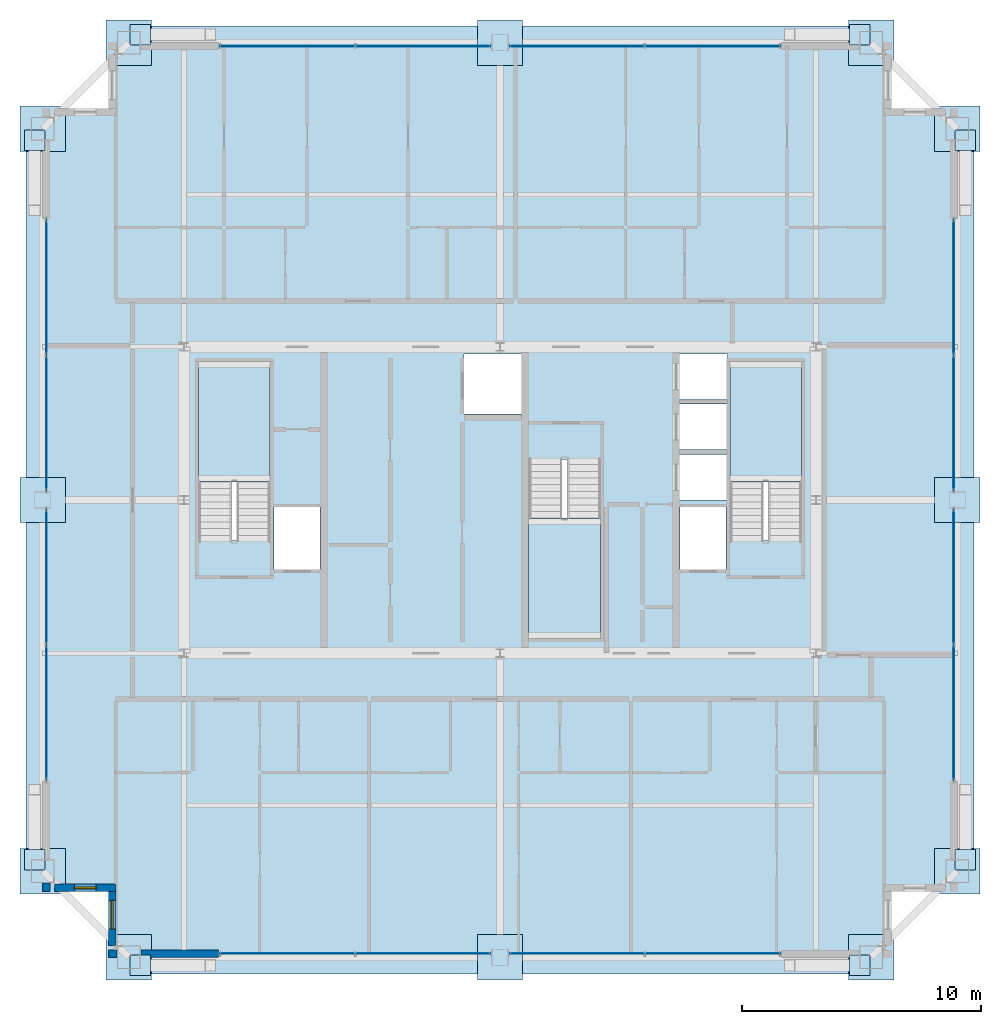
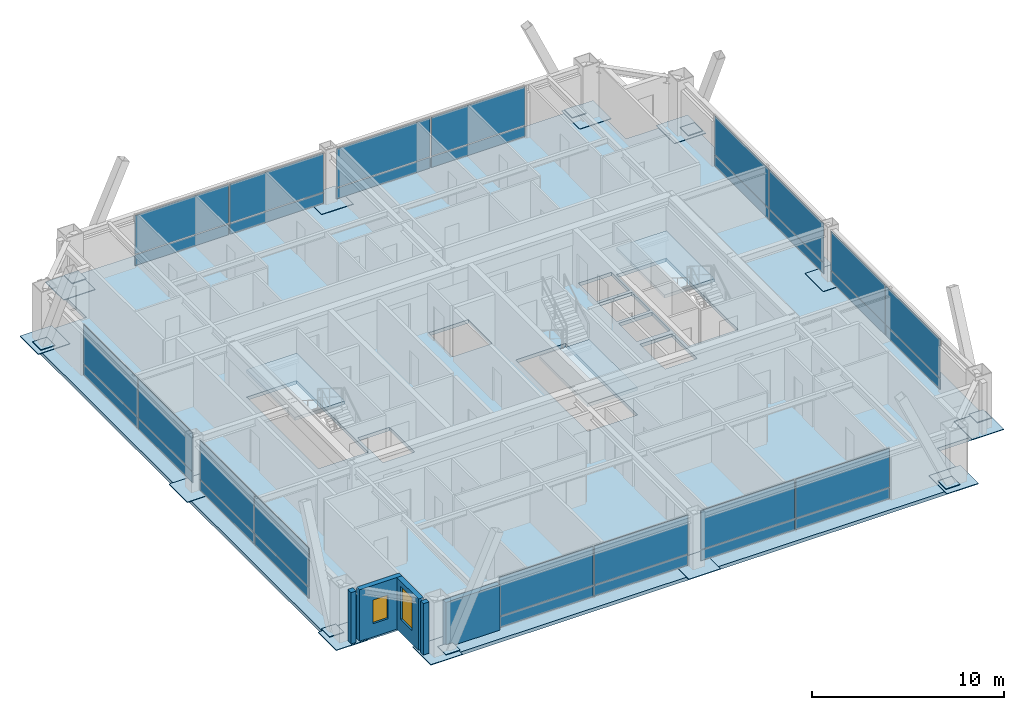
# One storey, part 29 of 35: 52 plates, 5 walls, 4 slabs, 2 windows, 2 openings, 11 elements without a shape of their own.
"""IFC4 building model written with IfcOpenShell, lengths in metres."""

from ifc_helpers import new_model, si_unit, direction, frame, frame_2d, origin, origin_2d, place, context, subcontext, project, spatial, polyline, rectangle, outline, extrude, source, transform, mapped, material, layer, layer_set, type_object, element, fill, aggregate, save


model = new_model("IFC4")

# Units and contexts
model_context = context("Model", 3, precision=1e-05, world=origin(), true_north=direction((0.0, 1.0)))
body_context = subcontext(model_context, "Body", "Model", "MODEL_VIEW")
ifc_project = project(units=[si_unit("LENGTHUNIT", "METRE"), si_unit("AREAUNIT", "SQUARE_METRE"), si_unit("VOLUMEUNIT", "CUBIC_METRE"), si_unit("PLANEANGLEUNIT", "RADIAN"), si_unit("MASSUNIT", "GRAM", prefix="KILO"), si_unit("THERMODYNAMICTEMPERATUREUNIT", "KELVIN"), si_unit("POWERUNIT", "WATT")], contexts=[model_context])

# Site, building, storey
site_placement = place(None, origin())
site = spatial("IfcSite", under=ifc_project, at=site_placement, CompositionType="ELEMENT")
building_placement = place(site_placement, origin())
building = spatial("IfcBuilding", under=site, at=building_placement, Name="Yuzanri Waterfront Tower", CompositionType="ELEMENT")
storey_placement = place(building_placement, frame((0.0, 0.0, 285.60009765625)))
storey = spatial("IfcBuildingStorey", under=building, at=storey_placement, Name="L76", CompositionType="ELEMENT", Elevation=285.60009765625)

# Stair, slab
ifc_material_1 = material(Name="Concrete C40", Category="concrete")
stair_type = type_object("IfcStairType", Name="Concrete C40 Core Dogleg Exit Stair", PredefinedType="HALF_TURN_STAIR", material=ifc_material_1)
stair_1_placement = place(storey_placement, origin())
stair_1 = element("IfcStair", 1, at=stair_1_placement, inside=storey, type_object=stair_type, Name="L76 Smoke-Proof Core Stair ST-01", PredefinedType="HALF_TURN_STAIR")
ifc_material_2 = material(Name="Concrete C40", Category="concrete")
ifc_layer_1 = layer(ifc_material_2, 0.179931640625)
ifc_layer_set_1 = layer_set([ifc_layer_1], Name="Concrete C40")
slab_type_1 = type_object("IfcSlabType", Name="Concrete C40 Stair Half-Landing Slab 180", PredefinedType="LANDING", material=ifc_layer_set_1)
slab_1_placement = place(storey_placement, frame((0.0, 0.0, 1.5498046875)))
slab_1 = element("IfcSlab", 2, at=slab_1_placement, type_object=slab_type_1, Name="ST-01 landing 1", PredefinedType="LANDING", context=body_context, shape_type="SweptSolid", body=[
    extrude(outline(polyline([(27.39990234375, 26.56005859375), (27.39990234375, 31.580078125), (24.39990234375, 31.580078125), (24.39990234375, 26.56005859375), (27.39990234375, 26.56005859375)])), origin(), (0.0, 0.0, 1.0), 0.2001953125),
])
aggregate(stair_1, [slab_1])

stair_2_placement = place(storey_placement, origin())
stair_2 = element("IfcStair", 3, at=stair_2_placement, inside=storey, type_object=stair_type, Name="L76 Smoke-Proof Core Stair ST-02", PredefinedType="HALF_TURN_STAIR")
slab_2_placement = place(storey_placement, frame((0.0, 0.0, 1.5498046875)))
slab_2 = element("IfcSlab", 4, at=slab_2_placement, type_object=slab_type_1, Name="ST-02 landing 1", PredefinedType="LANDING", context=body_context, shape_type="SweptSolid", body=[
    extrude(outline(polyline([(49.60009765625, 26.56005859375), (49.60009765625, 31.580078125), (46.60009765625, 31.580078125), (46.60009765625, 26.56005859375), (49.60009765625, 26.56005859375)])), origin(), (0.0, 0.0, 1.0), 0.2001953125),
])
aggregate(stair_2, [slab_2])

stair_3_placement = place(storey_placement, origin())
stair_3 = element("IfcStair", 5, at=stair_3_placement, inside=storey, type_object=stair_type, Name="L76 Smoke-Proof Core Stair ST-03", PredefinedType="HALF_TURN_STAIR")
slab_3_placement = place(storey_placement, frame((0.0, 0.0, 1.5498046875)))
slab_3 = element("IfcSlab", 6, at=slab_3_placement, type_object=slab_type_1, Name="ST-03 landing 1", PredefinedType="LANDING", context=body_context, shape_type="SweptSolid", body=[
    extrude(outline(polyline([(38.199951171875, 25.0400390625), (38.199951171875, 20.02001953125), (41.199951171875, 20.02001953125), (41.199951171875, 25.0400390625), (38.199951171875, 25.0400390625)])), origin(), (0.0, 0.0, 1.0), 0.2001953125),
])
aggregate(stair_3, [slab_3])

# Slab
ifc_material_3 = material(Name="Concrete C40", Category="concrete")
ifc_layer_2 = layer(ifc_material_3, 0.219970703125)
ifc_layer_set_2 = layer_set([ifc_layer_2], Name="Concrete C40")
slab_type_2 = type_object("IfcSlabType", Name="Concrete C40 Tower Typical Structural Floor Slab 220", PredefinedType="FLOOR", material=ifc_layer_set_2)
slab_4_placement = place(storey_placement, frame((0.0, 0.0, -0.22021484375)))
element("IfcSlab", 7, at=slab_4_placement, inside=storey, type_object=slab_type_2, Name="L76 Main Structural Floor Slab", PredefinedType="FLOOR", context=body_context, shape_type="SweptSolid", body=[
    extrude(outline(polyline([(20.800048828125, 6.0), (53.199951171875, 6.0), (53.199951171875, 9.60009765625), (56.800048828125, 9.60009765625), (56.800048828125, 42.0), (53.199951171875, 42.0), (53.199951171875, 45.60009765625), (20.800048828125, 45.60009765625), (20.800048828125, 42.0), (17.199951171875, 42.0), (17.199951171875, 9.60009765625), (20.800048828125, 9.60009765625), (20.800048828125, 6.0)]), holes=[polyline([(27.39990234375, 24.10009765625), (27.39990234375, 31.580078125), (24.39990234375, 31.580078125), (24.39990234375, 24.10009765625), (27.39990234375, 24.10009765625)]), polyline([(49.60009765625, 24.10009765625), (49.60009765625, 31.580078125), (46.60009765625, 31.580078125), (46.60009765625, 24.10009765625), (49.60009765625, 24.10009765625)]), polyline([(38.199951171875, 27.5), (38.199951171875, 20.02001953125), (41.199951171875, 20.02001953125), (41.199951171875, 27.5), (38.199951171875, 27.5)]), polyline([(27.56005859375, 22.89990234375), (29.47998046875, 22.89990234375), (29.47998046875, 25.5), (27.56005859375, 25.5), (27.56005859375, 22.89990234375)]), polyline([(44.52001953125, 22.89990234375), (46.43994140625, 22.89990234375), (46.43994140625, 25.5), (44.52001953125, 25.5), (44.52001953125, 22.89990234375)]), polyline([(35.5, 29.39990234375), (37.89990234375, 29.39990234375), (37.89990234375, 31.89990234375), (35.5, 31.89990234375), (35.5, 29.39990234375)]), polyline([(44.5, 25.800048828125), (46.5, 25.800048828125), (46.5, 27.699951171875), (44.5, 27.699951171875), (44.5, 25.800048828125)]), polyline([(44.5, 27.89990234375), (46.5, 27.89990234375), (46.5, 29.800048828125), (44.5, 29.800048828125), (44.5, 27.89990234375)]), polyline([(44.5, 30.0), (46.5, 30.0), (46.5, 31.89990234375), (44.5, 31.89990234375), (44.5, 30.0)])]), origin(), (0.0, 0.0, 1.0), 0.22021484375),
])

# Plates
ifc_material_4 = material(Name="Steel Q420GJC", Category="steel")
ifc_layer_3 = layer(ifc_material_4, 0.044921875)
ifc_layer_set_3 = layer_set([ifc_layer_3], Name="Steel Q420GJC")
plate_type_1 = type_object("IfcPlateType", Name="Steel Q420GJC Setback Column-Transfer Diaphragm Cap Plate 45", PredefinedType="SHEET", material=ifc_layer_set_3)
shared_shape_1 = source(origin(), body_context, "Body", "SweptSolid", [
    extrude(rectangle(XDim=1.89990234375, YDim=1.89990234375, at=origin_2d()), origin(), (0.0, 0.0, 1.0), 0.044921875),
])
for number, where, z_axis, x_axis, name in (
    (8, (21.5, 6.699951171875, -0.0224609375), (0.0, 0.0, 1.0), (1.0, 0.0, 0.0), "L76 Column Base Closure Plate S1"),
    (9, (37.0, 6.699951171875, -0.0224609375), (0.0, 0.0, 1.0), (1.0, 0.0, 0.0), "L76 Column Base Closure Plate S2"),
    (10, (52.5, 6.699951171875, -0.0224609375), (0.0, 0.0, 1.0), (1.0, 0.0, 0.0), "L76 Column Base Closure Plate S3"),
    (11, (21.5, 44.89990234375, -0.0224609375), (0.0, 0.0, 1.0), (1.0, 0.0, 0.0), "L76 Column Base Closure Plate N1"),
    (12, (37.0, 44.89990234375, -0.0224609375), (0.0, 0.0, 1.0), (1.0, 0.0, 0.0), "L76 Column Base Closure Plate N2"),
    (13, (52.5, 44.89990234375, -0.0224609375), (0.0, 0.0, 1.0), (1.0, 0.0, 0.0), "L76 Column Base Closure Plate N3"),
    (14, (17.89990234375, 10.300048828125, -0.0224609375), (0.0, 0.0, 1.0), (1.0, 0.0, 0.0), "L76 Column Base Closure Plate W1"),
    (15, (17.89990234375, 25.800048828125, -0.0224609375), (0.0, 0.0, 1.0), (1.0, 0.0, 0.0), "L76 Column Base Closure Plate W2"),
    (16, (17.89990234375, 41.300048828125, -0.0224609375), (0.0, 0.0, 1.0), (1.0, 0.0, 0.0), "L76 Column Base Closure Plate W3"),
    (17, (56.10009765625, 10.300048828125, -0.0224609375), (0.0, 0.0, 1.0), (1.0, 0.0, 0.0), "L76 Column Base Closure Plate E1"),
    (18, (56.10009765625, 25.800048828125, -0.0224609375), (0.0, 0.0, 1.0), (1.0, 0.0, 0.0), "L76 Column Base Closure Plate E2"),
    (19, (56.10009765625, 41.300048828125, -0.0224609375), (0.0, 0.0, 1.0), (1.0, 0.0, 0.0), "L76 Column Base Closure Plate E3"),
):
    element("IfcPlate", number, at=place(storey_placement, frame(where, z_axis=z_axis, x_axis=x_axis)), inside=storey, type_object=plate_type_1, Name=name, PredefinedType="SHEET", context=body_context, shape_type="MappedRepresentation", body=[
        mapped(shared_shape_1, transform((0.0, 0.0, 0.0), scale=1.0)),
    ])
ifc_material_5 = material(Name="Steel Q420GJC", Category="steel")
ifc_layer_4 = layer(ifc_material_5, 0.0400390625)
ifc_layer_set_4 = layer_set([ifc_layer_4], Name="Steel Q420GJC")
plate_type_2 = type_object("IfcPlateType", Name="Steel Q420GJC Mega-Brace Gusset and End-Cap Plate 40", PredefinedType="SHEET", material=ifc_layer_set_4)
shared_shape_2 = source(origin(), body_context, "Body", "SweptSolid", [
    extrude(rectangle(XDim=0.85009765625, YDim=0.85009765625, at=origin_2d()), origin(), (0.0, 0.0, 1.0), 0.0400390625),
])
for number, where, z_axis, x_axis, name in (
    (20, (21.97998046875, 6.360107421875, 0.159912109375), (0.0, 0.0, 1.0), (1.0, 0.0, 0.0), "L76 Mega-Brace Foot Cap Plate S-L"),
    (21, (52.02001953125, 6.360107421875, 0.159912109375), (0.0, 0.0, 1.0), (1.0, 0.0, 0.0), "L76 Mega-Brace Foot Cap Plate S-R"),
    (22, (21.97998046875, 45.239990234375, 0.159912109375), (0.0, 0.0, 1.0), (1.0, 0.0, 0.0), "L76 Mega-Brace Foot Cap Plate N-L"),
    (23, (52.02001953125, 45.239990234375, 0.159912109375), (0.0, 0.0, 1.0), (1.0, 0.0, 0.0), "L76 Mega-Brace Foot Cap Plate N-R"),
    (24, (17.56005859375, 10.780029296875, 0.159912109375), (0.0, 0.0, 1.0), (1.0, 0.0, 0.0), "L76 Mega-Brace Foot Cap Plate W-L"),
    (25, (17.56005859375, 40.820068359375, 0.159912109375), (0.0, 0.0, 1.0), (1.0, 0.0, 0.0), "L76 Mega-Brace Foot Cap Plate W-R"),
    (26, (56.43994140625, 10.780029296875, 0.159912109375), (0.0, 0.0, 1.0), (1.0, 0.0, 0.0), "L76 Mega-Brace Foot Cap Plate E-L"),
    (27, (56.43994140625, 40.820068359375, 0.159912109375), (0.0, 0.0, 1.0), (1.0, 0.0, 0.0), "L76 Mega-Brace Foot Cap Plate E-R"),
):
    element("IfcPlate", number, at=place(storey_placement, frame(where, z_axis=z_axis, x_axis=x_axis)), inside=storey, type_object=plate_type_2, Name=name, PredefinedType="SHEET", context=body_context, shape_type="MappedRepresentation", body=[
        mapped(shared_shape_2, transform((0.0, 0.0, 0.0), scale=1.0)),
    ])

# Curtain wall, plates
ifc_material_6 = material(Name="Anodized Architectural Bronze", Category="metal")
ifc_layer_5 = layer(ifc_material_6, 0.159912109375)
ifc_layer_set_5 = layer_set([ifc_layer_5], Name="Anodized Architectural Bronze")
curtain_wall_type = type_object("IfcCurtainWallType", Name="Anodized Bronze High-Rise Penthouse High-Wind Unitized Curtain Wall 6900", PredefinedType="NOTDEFINED", material=ifc_layer_set_5)
curtain_wall_1_placement = place(storey_placement, origin())
curtain_wall_1 = element("IfcCurtainWall", 28, at=curtain_wall_1_placement, inside=storey, type_object=curtain_wall_type, Name="L76 Curtain Wall CW-L76-SL", PredefinedType="NOTDEFINED")
ifc_material_7 = material(Name="Anodized Architectural Bronze", Category="metal")
ifc_layer_6 = layer(ifc_material_7, 0.028076171875)
ifc_layer_set_6 = layer_set([ifc_layer_6], Name="Anodized Architectural Bronze")
plate_type_3 = type_object("IfcPlateType", Name="Bronze Insulated Spandrel Shadow-Box Panel 28", PredefinedType="CURTAIN_PANEL", material=ifc_layer_set_6)
shared_shape_3 = source(origin(), body_context, "Body", "SweptSolid", [
    extrude(rectangle(XDim=5.6201171875, YDim=0.028076171875, at=origin_2d()), origin(), (0.0, 0.0, 1.0), 0.674072265625),
])
plate_1_placement = place(storey_placement, frame((28.10009765625, 6.85009765625, 0.0498046875), z_axis=(0.0, 0.0, 1.0), x_axis=(1.0, 0.0, 0.0)))
plate_1 = element("IfcPlate", 29, at=plate_1_placement, type_object=plate_type_3, Name="CW-L76-SL Spandrel Panel 01", PredefinedType="CURTAIN_PANEL", context=body_context, shape_type="MappedRepresentation", body=[
    mapped(shared_shape_3, transform((0.0, 0.0, 0.0), scale=1.0)),
])
plate_2_placement = place(storey_placement, frame((33.800048828125, 6.85009765625, 0.0498046875), z_axis=(0.0, 0.0, 1.0), x_axis=(1.0, 0.0, 0.0)))
plate_2 = element("IfcPlate", 30, at=plate_2_placement, type_object=plate_type_3, Name="CW-L76-SL Spandrel Panel 02", PredefinedType="CURTAIN_PANEL", context=body_context, shape_type="MappedRepresentation", body=[
    mapped(shared_shape_3, transform((0.0, 0.0, 0.0), scale=1.0)),
])

curtain_wall_2_placement = place(storey_placement, origin())
curtain_wall_2 = element("IfcCurtainWall", 31, at=curtain_wall_2_placement, inside=storey, type_object=curtain_wall_type, Name="L76 Curtain Wall CW-L76-SR", PredefinedType="NOTDEFINED")
plate_3_placement = place(storey_placement, frame((40.199951171875, 6.85009765625, 0.0498046875), z_axis=(0.0, 0.0, 1.0), x_axis=(1.0, 0.0, 0.0)))
plate_3 = element("IfcPlate", 32, at=plate_3_placement, type_object=plate_type_3, Name="CW-L76-SR Spandrel Panel 01", PredefinedType="CURTAIN_PANEL", context=body_context, shape_type="MappedRepresentation", body=[
    mapped(shared_shape_3, transform((0.0, 0.0, 0.0), scale=1.0)),
])
plate_4_placement = place(storey_placement, frame((45.89990234375, 6.85009765625, 0.0498046875), z_axis=(0.0, 0.0, 1.0), x_axis=(1.0, 0.0, 0.0)))
plate_4 = element("IfcPlate", 33, at=plate_4_placement, type_object=plate_type_3, Name="CW-L76-SR Spandrel Panel 02", PredefinedType="CURTAIN_PANEL", context=body_context, shape_type="MappedRepresentation", body=[
    mapped(shared_shape_3, transform((0.0, 0.0, 0.0), scale=1.0)),
])

curtain_wall_3_placement = place(storey_placement, origin())
curtain_wall_3 = element("IfcCurtainWall", 34, at=curtain_wall_3_placement, inside=storey, type_object=curtain_wall_type, Name="L76 Curtain Wall CW-L76-NL", PredefinedType="NOTDEFINED")
plate_5_placement = place(storey_placement, frame((28.10009765625, 44.75, 0.0498046875), z_axis=(0.0, 0.0, 1.0), x_axis=(1.0, 0.0, 0.0)))
plate_5 = element("IfcPlate", 35, at=plate_5_placement, type_object=plate_type_3, Name="CW-L76-NL Spandrel Panel 01", PredefinedType="CURTAIN_PANEL", context=body_context, shape_type="MappedRepresentation", body=[
    mapped(shared_shape_3, transform((0.0, 0.0, 0.0), scale=1.0)),
])
plate_6_placement = place(storey_placement, frame((33.800048828125, 44.75, 0.0498046875), z_axis=(0.0, 0.0, 1.0), x_axis=(1.0, 0.0, 0.0)))
plate_6 = element("IfcPlate", 36, at=plate_6_placement, type_object=plate_type_3, Name="CW-L76-NL Spandrel Panel 02", PredefinedType="CURTAIN_PANEL", context=body_context, shape_type="MappedRepresentation", body=[
    mapped(shared_shape_3, transform((0.0, 0.0, 0.0), scale=1.0)),
])

curtain_wall_4_placement = place(storey_placement, origin())
curtain_wall_4 = element("IfcCurtainWall", 37, at=curtain_wall_4_placement, inside=storey, type_object=curtain_wall_type, Name="L76 Curtain Wall CW-L76-NR", PredefinedType="NOTDEFINED")
plate_7_placement = place(storey_placement, frame((40.199951171875, 44.75, 0.0498046875), z_axis=(0.0, 0.0, 1.0), x_axis=(1.0, 0.0, 0.0)))
plate_7 = element("IfcPlate", 38, at=plate_7_placement, type_object=plate_type_3, Name="CW-L76-NR Spandrel Panel 01", PredefinedType="CURTAIN_PANEL", context=body_context, shape_type="MappedRepresentation", body=[
    mapped(shared_shape_3, transform((0.0, 0.0, 0.0), scale=1.0)),
])
plate_8_placement = place(storey_placement, frame((45.89990234375, 44.75, 0.0498046875), z_axis=(0.0, 0.0, 1.0), x_axis=(1.0, 0.0, 0.0)))
plate_8 = element("IfcPlate", 39, at=plate_8_placement, type_object=plate_type_3, Name="CW-L76-NR Spandrel Panel 02", PredefinedType="CURTAIN_PANEL", context=body_context, shape_type="MappedRepresentation", body=[
    mapped(shared_shape_3, transform((0.0, 0.0, 0.0), scale=1.0)),
])

curtain_wall_5_placement = place(storey_placement, origin())
curtain_wall_5 = element("IfcCurtainWall", 40, at=curtain_wall_5_placement, inside=storey, type_object=curtain_wall_type, Name="L76 Curtain Wall CW-L76-WL", PredefinedType="NOTDEFINED")
plate_9_placement = place(storey_placement, frame((18.050048828125, 16.89990234375, 0.0498046875), z_axis=(0.0, 0.0, 1.0), x_axis=(0.0, 1.0, 0.0)))
plate_9 = element("IfcPlate", 41, at=plate_9_placement, type_object=plate_type_3, Name="CW-L76-WL Spandrel Panel 01", PredefinedType="CURTAIN_PANEL", context=body_context, shape_type="MappedRepresentation", body=[
    mapped(shared_shape_3, transform((0.0, 0.0, 0.0), scale=1.0)),
])
plate_10_placement = place(storey_placement, frame((18.050048828125, 22.60009765625, 0.0498046875), z_axis=(0.0, 0.0, 1.0), x_axis=(0.0, 1.0, 0.0)))
plate_10 = element("IfcPlate", 42, at=plate_10_placement, type_object=plate_type_3, Name="CW-L76-WL Spandrel Panel 02", PredefinedType="CURTAIN_PANEL", context=body_context, shape_type="MappedRepresentation", body=[
    mapped(shared_shape_3, transform((0.0, 0.0, 0.0), scale=1.0)),
])

curtain_wall_6_placement = place(storey_placement, origin())
curtain_wall_6 = element("IfcCurtainWall", 43, at=curtain_wall_6_placement, inside=storey, type_object=curtain_wall_type, Name="L76 Curtain Wall CW-L76-WR", PredefinedType="NOTDEFINED")
plate_11_placement = place(storey_placement, frame((18.050048828125, 29.0, 0.0498046875), z_axis=(0.0, 0.0, 1.0), x_axis=(0.0, 1.0, 0.0)))
plate_11 = element("IfcPlate", 44, at=plate_11_placement, type_object=plate_type_3, Name="CW-L76-WR Spandrel Panel 01", PredefinedType="CURTAIN_PANEL", context=body_context, shape_type="MappedRepresentation", body=[
    mapped(shared_shape_3, transform((0.0, 0.0, 0.0), scale=1.0)),
])
plate_12_placement = place(storey_placement, frame((18.050048828125, 34.699951171875, 0.0498046875), z_axis=(0.0, 0.0, 1.0), x_axis=(0.0, 1.0, 0.0)))
plate_12 = element("IfcPlate", 45, at=plate_12_placement, type_object=plate_type_3, Name="CW-L76-WR Spandrel Panel 02", PredefinedType="CURTAIN_PANEL", context=body_context, shape_type="MappedRepresentation", body=[
    mapped(shared_shape_3, transform((0.0, 0.0, 0.0), scale=1.0)),
])

curtain_wall_7_placement = place(storey_placement, origin())
curtain_wall_7 = element("IfcCurtainWall", 46, at=curtain_wall_7_placement, inside=storey, type_object=curtain_wall_type, Name="L76 Curtain Wall CW-L76-EL", PredefinedType="NOTDEFINED")
plate_13_placement = place(storey_placement, frame((55.949951171875, 16.89990234375, 0.0498046875), z_axis=(0.0, 0.0, 1.0), x_axis=(0.0, 1.0, 0.0)))
plate_13 = element("IfcPlate", 47, at=plate_13_placement, type_object=plate_type_3, Name="CW-L76-EL Spandrel Panel 01", PredefinedType="CURTAIN_PANEL", context=body_context, shape_type="MappedRepresentation", body=[
    mapped(shared_shape_3, transform((0.0, 0.0, 0.0), scale=1.0)),
])
plate_14_placement = place(storey_placement, frame((55.949951171875, 22.60009765625, 0.0498046875), z_axis=(0.0, 0.0, 1.0), x_axis=(0.0, 1.0, 0.0)))
plate_14 = element("IfcPlate", 48, at=plate_14_placement, type_object=plate_type_3, Name="CW-L76-EL Spandrel Panel 02", PredefinedType="CURTAIN_PANEL", context=body_context, shape_type="MappedRepresentation", body=[
    mapped(shared_shape_3, transform((0.0, 0.0, 0.0), scale=1.0)),
])

curtain_wall_8_placement = place(storey_placement, origin())
curtain_wall_8 = element("IfcCurtainWall", 49, at=curtain_wall_8_placement, inside=storey, type_object=curtain_wall_type, Name="L76 Curtain Wall CW-L76-ER", PredefinedType="NOTDEFINED")
plate_15_placement = place(storey_placement, frame((55.949951171875, 29.0, 0.0498046875), z_axis=(0.0, 0.0, 1.0), x_axis=(0.0, 1.0, 0.0)))
plate_15 = element("IfcPlate", 50, at=plate_15_placement, type_object=plate_type_3, Name="CW-L76-ER Spandrel Panel 01", PredefinedType="CURTAIN_PANEL", context=body_context, shape_type="MappedRepresentation", body=[
    mapped(shared_shape_3, transform((0.0, 0.0, 0.0), scale=1.0)),
])
plate_16_placement = place(storey_placement, frame((55.949951171875, 34.699951171875, 0.0498046875), z_axis=(0.0, 0.0, 1.0), x_axis=(0.0, 1.0, 0.0)))
plate_16 = element("IfcPlate", 51, at=plate_16_placement, type_object=plate_type_3, Name="CW-L76-ER Spandrel Panel 02", PredefinedType="CURTAIN_PANEL", context=body_context, shape_type="MappedRepresentation", body=[
    mapped(shared_shape_3, transform((0.0, 0.0, 0.0), scale=1.0)),
])

# Plate
ifc_material_8 = material(Name="Triple Low-E Laminated Insulated Glass", Category="glass")
ifc_layer_7 = layer(ifc_material_8, 0.0439453125)
ifc_layer_set_7 = layer_set([ifc_layer_7], Name="Triple Low-E Laminated Insulated Glass")
plate_type_4 = type_object("IfcPlateType", Name="Triple Glazed Acoustic Vision Glass Panel 44", PredefinedType="CURTAIN_PANEL", material=ifc_layer_set_7)
shared_shape_4 = source(origin(), body_context, "Body", "SweptSolid", [
    extrude(rectangle(XDim=5.6201171875, YDim=0.0439453125, at=origin_2d()), origin(), (0.0, 0.0, 1.0), 2.446044921875),
])
plate_17_placement = place(storey_placement, frame((28.10009765625, 6.85009765625, 0.78369140625), z_axis=(0.0, 0.0, 1.0), x_axis=(1.0, 0.0, 0.0)))
plate_17 = element("IfcPlate", 52, at=plate_17_placement, type_object=plate_type_4, Name="CW-L76-SL Vision Glass Panel 01", PredefinedType="CURTAIN_PANEL", context=body_context, shape_type="MappedRepresentation", body=[
    mapped(shared_shape_4, transform((0.0, 0.0, 0.0), scale=1.0)),
])

plate_18_placement = place(storey_placement, frame((33.800048828125, 6.85009765625, 0.78369140625), z_axis=(0.0, 0.0, 1.0), x_axis=(1.0, 0.0, 0.0)))
plate_18 = element("IfcPlate", 53, at=plate_18_placement, type_object=plate_type_4, Name="CW-L76-SL Vision Glass Panel 02", PredefinedType="CURTAIN_PANEL", context=body_context, shape_type="MappedRepresentation", body=[
    mapped(shared_shape_4, transform((0.0, 0.0, 0.0), scale=1.0)),
])

aggregate(curtain_wall_1, [plate_1, plate_17, plate_2, plate_18])

plate_19_placement = place(storey_placement, frame((40.199951171875, 6.85009765625, 0.78369140625), z_axis=(0.0, 0.0, 1.0), x_axis=(1.0, 0.0, 0.0)))
plate_19 = element("IfcPlate", 54, at=plate_19_placement, type_object=plate_type_4, Name="CW-L76-SR Vision Glass Panel 01", PredefinedType="CURTAIN_PANEL", context=body_context, shape_type="MappedRepresentation", body=[
    mapped(shared_shape_4, transform((0.0, 0.0, 0.0), scale=1.0)),
])

plate_20_placement = place(storey_placement, frame((45.89990234375, 6.85009765625, 0.78369140625), z_axis=(0.0, 0.0, 1.0), x_axis=(1.0, 0.0, 0.0)))
plate_20 = element("IfcPlate", 55, at=plate_20_placement, type_object=plate_type_4, Name="CW-L76-SR Vision Glass Panel 02", PredefinedType="CURTAIN_PANEL", context=body_context, shape_type="MappedRepresentation", body=[
    mapped(shared_shape_4, transform((0.0, 0.0, 0.0), scale=1.0)),
])

aggregate(curtain_wall_2, [plate_3, plate_19, plate_4, plate_20])

plate_21_placement = place(storey_placement, frame((28.10009765625, 44.75, 0.78369140625), z_axis=(0.0, 0.0, 1.0), x_axis=(1.0, 0.0, 0.0)))
plate_21 = element("IfcPlate", 56, at=plate_21_placement, type_object=plate_type_4, Name="CW-L76-NL Vision Glass Panel 01", PredefinedType="CURTAIN_PANEL", context=body_context, shape_type="MappedRepresentation", body=[
    mapped(shared_shape_4, transform((0.0, 0.0, 0.0), scale=1.0)),
])

plate_22_placement = place(storey_placement, frame((33.800048828125, 44.75, 0.78369140625), z_axis=(0.0, 0.0, 1.0), x_axis=(1.0, 0.0, 0.0)))
plate_22 = element("IfcPlate", 57, at=plate_22_placement, type_object=plate_type_4, Name="CW-L76-NL Vision Glass Panel 02", PredefinedType="CURTAIN_PANEL", context=body_context, shape_type="MappedRepresentation", body=[
    mapped(shared_shape_4, transform((0.0, 0.0, 0.0), scale=1.0)),
])

aggregate(curtain_wall_3, [plate_5, plate_21, plate_6, plate_22])

plate_23_placement = place(storey_placement, frame((40.199951171875, 44.75, 0.78369140625), z_axis=(0.0, 0.0, 1.0), x_axis=(1.0, 0.0, 0.0)))
plate_23 = element("IfcPlate", 58, at=plate_23_placement, type_object=plate_type_4, Name="CW-L76-NR Vision Glass Panel 01", PredefinedType="CURTAIN_PANEL", context=body_context, shape_type="MappedRepresentation", body=[
    mapped(shared_shape_4, transform((0.0, 0.0, 0.0), scale=1.0)),
])

plate_24_placement = place(storey_placement, frame((45.89990234375, 44.75, 0.78369140625), z_axis=(0.0, 0.0, 1.0), x_axis=(1.0, 0.0, 0.0)))
plate_24 = element("IfcPlate", 59, at=plate_24_placement, type_object=plate_type_4, Name="CW-L76-NR Vision Glass Panel 02", PredefinedType="CURTAIN_PANEL", context=body_context, shape_type="MappedRepresentation", body=[
    mapped(shared_shape_4, transform((0.0, 0.0, 0.0), scale=1.0)),
])

aggregate(curtain_wall_4, [plate_7, plate_23, plate_8, plate_24])

plate_25_placement = place(storey_placement, frame((18.050048828125, 16.89990234375, 0.78369140625), z_axis=(0.0, 0.0, 1.0), x_axis=(0.0, 1.0, 0.0)))
plate_25 = element("IfcPlate", 60, at=plate_25_placement, type_object=plate_type_4, Name="CW-L76-WL Vision Glass Panel 01", PredefinedType="CURTAIN_PANEL", context=body_context, shape_type="MappedRepresentation", body=[
    mapped(shared_shape_4, transform((0.0, 0.0, 0.0), scale=1.0)),
])

plate_26_placement = place(storey_placement, frame((18.050048828125, 22.60009765625, 0.78369140625), z_axis=(0.0, 0.0, 1.0), x_axis=(0.0, 1.0, 0.0)))
plate_26 = element("IfcPlate", 61, at=plate_26_placement, type_object=plate_type_4, Name="CW-L76-WL Vision Glass Panel 02", PredefinedType="CURTAIN_PANEL", context=body_context, shape_type="MappedRepresentation", body=[
    mapped(shared_shape_4, transform((0.0, 0.0, 0.0), scale=1.0)),
])

aggregate(curtain_wall_5, [plate_9, plate_25, plate_10, plate_26])

plate_27_placement = place(storey_placement, frame((18.050048828125, 29.0, 0.78369140625), z_axis=(0.0, 0.0, 1.0), x_axis=(0.0, 1.0, 0.0)))
plate_27 = element("IfcPlate", 62, at=plate_27_placement, type_object=plate_type_4, Name="CW-L76-WR Vision Glass Panel 01", PredefinedType="CURTAIN_PANEL", context=body_context, shape_type="MappedRepresentation", body=[
    mapped(shared_shape_4, transform((0.0, 0.0, 0.0), scale=1.0)),
])

plate_28_placement = place(storey_placement, frame((18.050048828125, 34.699951171875, 0.78369140625), z_axis=(0.0, 0.0, 1.0), x_axis=(0.0, 1.0, 0.0)))
plate_28 = element("IfcPlate", 63, at=plate_28_placement, type_object=plate_type_4, Name="CW-L76-WR Vision Glass Panel 02", PredefinedType="CURTAIN_PANEL", context=body_context, shape_type="MappedRepresentation", body=[
    mapped(shared_shape_4, transform((0.0, 0.0, 0.0), scale=1.0)),
])

aggregate(curtain_wall_6, [plate_11, plate_27, plate_12, plate_28])

plate_29_placement = place(storey_placement, frame((55.949951171875, 16.89990234375, 0.78369140625), z_axis=(0.0, 0.0, 1.0), x_axis=(0.0, 1.0, 0.0)))
plate_29 = element("IfcPlate", 64, at=plate_29_placement, type_object=plate_type_4, Name="CW-L76-EL Vision Glass Panel 01", PredefinedType="CURTAIN_PANEL", context=body_context, shape_type="MappedRepresentation", body=[
    mapped(shared_shape_4, transform((0.0, 0.0, 0.0), scale=1.0)),
])

plate_30_placement = place(storey_placement, frame((55.949951171875, 22.60009765625, 0.78369140625), z_axis=(0.0, 0.0, 1.0), x_axis=(0.0, 1.0, 0.0)))
plate_30 = element("IfcPlate", 65, at=plate_30_placement, type_object=plate_type_4, Name="CW-L76-EL Vision Glass Panel 02", PredefinedType="CURTAIN_PANEL", context=body_context, shape_type="MappedRepresentation", body=[
    mapped(shared_shape_4, transform((0.0, 0.0, 0.0), scale=1.0)),
])

aggregate(curtain_wall_7, [plate_13, plate_29, plate_14, plate_30])

plate_31_placement = place(storey_placement, frame((55.949951171875, 29.0, 0.78369140625), z_axis=(0.0, 0.0, 1.0), x_axis=(0.0, 1.0, 0.0)))
plate_31 = element("IfcPlate", 66, at=plate_31_placement, type_object=plate_type_4, Name="CW-L76-ER Vision Glass Panel 01", PredefinedType="CURTAIN_PANEL", context=body_context, shape_type="MappedRepresentation", body=[
    mapped(shared_shape_4, transform((0.0, 0.0, 0.0), scale=1.0)),
])

plate_32_placement = place(storey_placement, frame((55.949951171875, 34.699951171875, 0.78369140625), z_axis=(0.0, 0.0, 1.0), x_axis=(0.0, 1.0, 0.0)))
plate_32 = element("IfcPlate", 67, at=plate_32_placement, type_object=plate_type_4, Name="CW-L76-ER Vision Glass Panel 02", PredefinedType="CURTAIN_PANEL", context=body_context, shape_type="MappedRepresentation", body=[
    mapped(shared_shape_4, transform((0.0, 0.0, 0.0), scale=1.0)),
])

aggregate(curtain_wall_8, [plate_15, plate_31, plate_16, plate_32])

# Wall, opening, window
ifc_material_9 = material(Name="Honed Chongqing Dark Basalt Stone", Category="masonry")
ifc_layer_8 = layer(ifc_material_9, 0.300048828125)
ifc_layer_set_8 = layer_set([ifc_layer_8], Name="Honed Chongqing Dark Basalt Stone")
wall_type = type_object("IfcWallType", Name="Bronze Rainscreen Insulated Spandrel Portal Wall 300", PredefinedType="SOLIDWALL", material=ifc_layer_set_8)
wall_1_placement = place(storey_placement, frame((18.39990234375, 9.60009765625, 0.0), z_axis=(0.0, 0.0, 1.0), x_axis=(1.0, 0.0, 0.0)))
wall_1 = element("IfcWall", 68, at=wall_1_placement, inside=storey, type_object=wall_type, Name="L76 Notched Corner Masonry Wall SW-X", PredefinedType="SOLIDWALL", context=body_context, shape_type="SweptSolid", body=[
    extrude(rectangle(XDim=2.550048828125, YDim=0.300048828125, at=frame_2d((1.27490234375, 0.0))), origin(), (0.0, 0.0, 1.0), 3.27978515625),
])
opening_1_placement = place(wall_1_placement, frame((0.824951171875, 0.0, 0.85009765625)))
opening_1 = element("IfcOpeningElement", 69, at=opening_1_placement, cuts=wall_1, Name="Opening WN-05", PredefinedType="OPENING", context=body_context, shape_type="SweptSolid", body=[
    extrude(rectangle(XDim=0.89990234375, YDim=1.5, at=frame_2d((0.449951171875, 0.75))), frame((0.0, 0.1650390625, 0.0), z_axis=(0.0, -1.0, 0.0), x_axis=(1.0, 0.0, 0.0)), (0.0, 0.0, 1.0), 0.329833984375),
])
ifc_material_10 = material(Name="Double-Silver Low-E Insulated Glass", Category="glass")
window_type_1 = type_object("IfcWindowType", Name="Anodized Bronze Service and Stairwell Smoke-Vent Window 900x1500", PartitioningType="SINGLE_PANEL", PredefinedType="WINDOW", material=ifc_material_10)
shared_shape_5 = source(origin(), body_context, "Body", "SweptSolid", [
    extrude(rectangle(XDim=0.89990234375, YDim=1.5, at=frame_2d((0.449951171875, 0.75))), frame((0.0, 0.030029296875, 0.0), z_axis=(0.0, -1.0, 0.0), x_axis=(1.0, 0.0, 0.0)), (0.0, 0.0, 1.0), 0.06005859375),
])
window_1_placement = place(opening_1_placement, origin())
window_1 = element("IfcWindow", 70, at=window_1_placement, inside=storey, type_object=window_type_1, Name="L76 Notched Corner Window SW-X", OverallHeight=1.5, OverallWidth=0.89990234375, PartitioningType="SINGLE_PANEL", PredefinedType="WINDOW", context=body_context, shape_type="MappedRepresentation", body=[
    mapped(shared_shape_5, transform((0.0, 0.0, 0.0), scale=1.0)),
])
fill(opening_1, window_1)

wall_2_placement = place(storey_placement, frame((20.800048828125, 9.75, 0.0), z_axis=(0.0, 0.0, 1.0), x_axis=(0.0, -1.0, 0.0)))
wall_2 = element("IfcWall", 71, at=wall_2_placement, inside=storey, type_object=wall_type, Name="L76 Notched Corner Masonry Wall SW-Y", PredefinedType="SOLIDWALL", context=body_context, shape_type="SweptSolid", body=[
    extrude(rectangle(XDim=2.550048828125, YDim=0.300048828125, at=frame_2d((1.27490234375, 0.0))), origin(), (0.0, 0.0, 1.0), 3.27978515625),
])
opening_2_placement = place(wall_2_placement, frame((0.675048828125, 0.0, 0.85009765625)))
opening_2 = element("IfcOpeningElement", 72, at=opening_2_placement, cuts=wall_2, Name="Opening WN-02", PredefinedType="OPENING", context=body_context, shape_type="SweptSolid", body=[
    extrude(rectangle(XDim=1.199951171875, YDim=2.10009765625, at=frame_2d((0.60009765625, 1.050048828125))), frame((0.0, 0.1650390625, 0.0), z_axis=(0.0, -1.0, 0.0), x_axis=(1.0, 0.0, 0.0)), (0.0, 0.0, 1.0), 0.329833984375),
])
ifc_material_11 = material(Name="Double-Silver Low-E Insulated Glass", Category="glass")
window_type_2 = type_object("IfcWindowType", Name="Anodized Bronze Notched Corner Deep-Set Slot Window 1200x2100", PartitioningType="SINGLE_PANEL", PredefinedType="WINDOW", material=ifc_material_11)
shared_shape_6 = source(origin(), body_context, "Body", "SweptSolid", [
    extrude(rectangle(XDim=1.199951171875, YDim=2.10009765625, at=frame_2d((0.60009765625, 1.050048828125))), frame((0.0, 0.030029296875, 0.0), z_axis=(0.0, -1.0, 0.0), x_axis=(1.0, 0.0, 0.0)), (0.0, 0.0, 1.0), 0.06005859375),
])
window_2_placement = place(opening_2_placement, origin())
window_2 = element("IfcWindow", 73, at=window_2_placement, inside=storey, type_object=window_type_2, Name="L76 Notched Corner Window SW-Y", OverallHeight=2.10009765625, OverallWidth=1.199951171875, PartitioningType="SINGLE_PANEL", PredefinedType="WINDOW", context=body_context, shape_type="MappedRepresentation", body=[
    mapped(shared_shape_6, transform((0.0, 0.0, 0.0), scale=1.0)),
])
fill(opening_2, window_2)

# Walls
shared_shape_7 = source(origin(), body_context, "Body", "SweptSolid", [
    extrude(rectangle(XDim=0.35009765625, YDim=0.300048828125, at=frame_2d((0.175048828125, 0.0))), origin(), (0.0, 0.0, 1.0), 3.27978515625),
])
for number, where, z_axis, x_axis, name in (
    (74, (20.64990234375, 6.85009765625, 0.0), (0.0, 0.0, 1.0), (1.0, 0.0, 0.0), "L76 Corner Column Shoulder Return CSW"),
    (75, (18.050048828125, 9.449951171875, 0.0), (0.0, 0.0, 1.0), (0.0, 1.0, 0.0), "L76 Corner Column Shoulder Return CWS"),
):
    element("IfcWall", number, at=place(storey_placement, frame(where, z_axis=z_axis, x_axis=x_axis)), inside=storey, type_object=wall_type, Name=name, PredefinedType="SOLIDWALL", context=body_context, shape_type="MappedRepresentation", body=[
        mapped(shared_shape_7, transform((0.0, 0.0, 0.0), scale=1.0)),
    ])
shared_shape_8 = source(origin(), body_context, "Body", "SweptSolid", [
    extrude(rectangle(XDim=3.25, YDim=0.300048828125, at=frame_2d((1.625, 0.0))), origin(), (0.0, 0.0, 1.0), 2.885009765625),
])
wall_3_placement = place(storey_placement, frame((22.0, 6.85009765625, 0.0), z_axis=(0.0, 0.0, 1.0), x_axis=(1.0, 0.0, 0.0)))
element("IfcWall", 76, at=wall_3_placement, inside=storey, type_object=wall_type, Name="L76 S Left Braced Masonry Shoulder", PredefinedType="SOLIDWALL", context=body_context, shape_type="MappedRepresentation", body=[
    mapped(shared_shape_8, transform((0.0, 0.0, 0.0), scale=1.0)),
])

save(model, "model.ifc")
